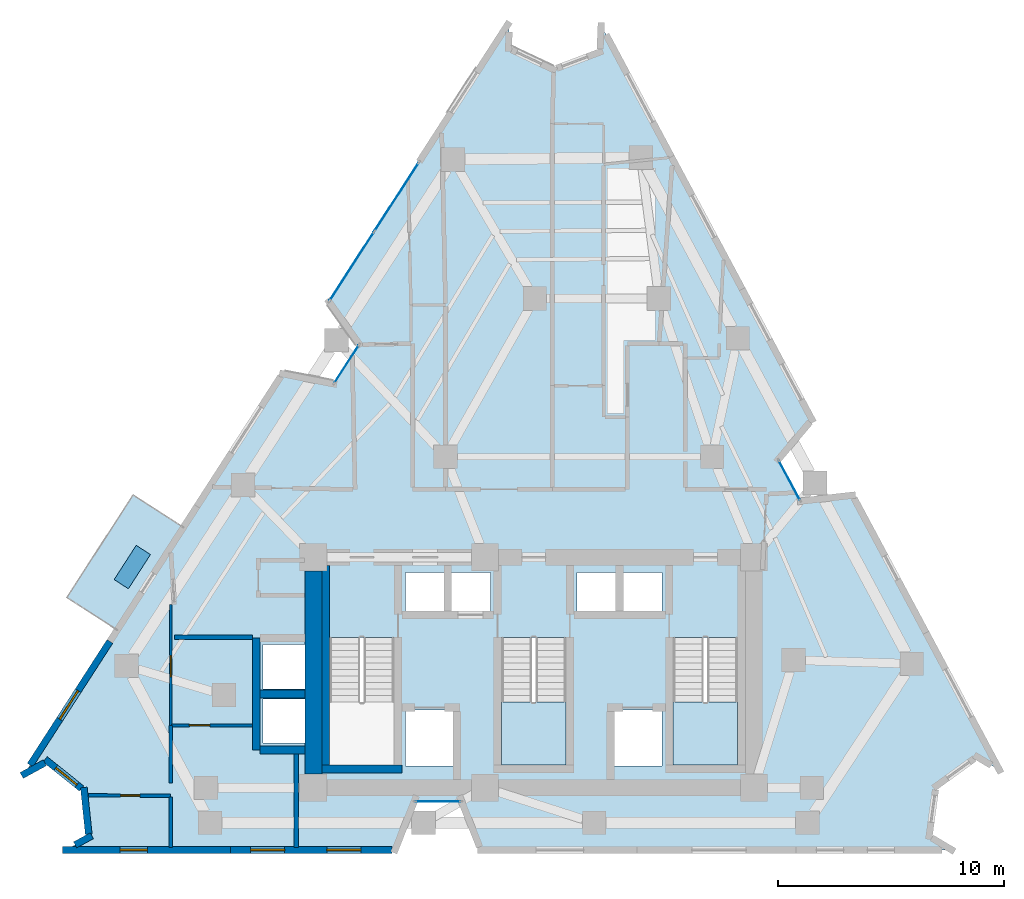
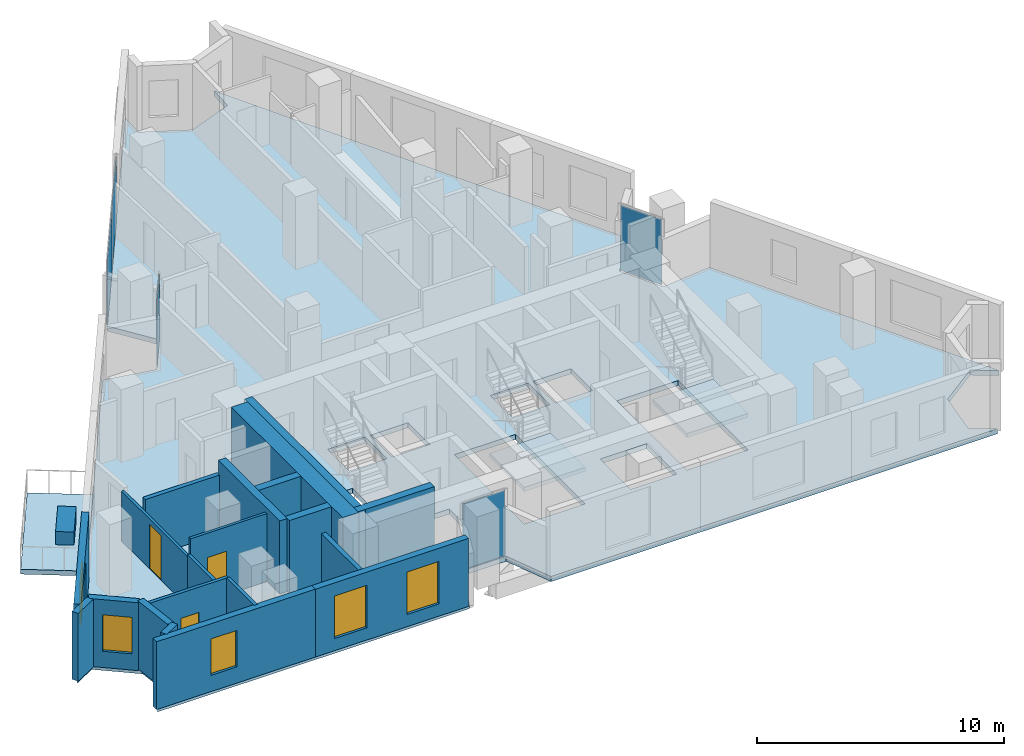
# One storey, part 5 of 11: 20 walls, 6 plates, 5 windows, 4 slabs, 3 doors, 8 openings, 6 elements without a shape of their own.
"""IFC4 building model written with IfcOpenShell, lengths in metres."""

from ifc_helpers import new_model, si_unit, direction, frame, frame_2d, origin, origin_2d, place, context, subcontext, project, spatial, polyline, rectangle, outline, extrude, material, layer, layer_set, type_object, element, fill, aggregate, save


model = new_model("IFC4")

# Units and contexts
model_context = context("Model", 3, precision=1e-05, world=origin(), true_north=direction((0.0, 1.0)))
body_context = subcontext(model_context, "Body", "Model", "MODEL_VIEW")
ifc_project = project(units=[si_unit("LENGTHUNIT", "METRE"), si_unit("AREAUNIT", "SQUARE_METRE"), si_unit("VOLUMEUNIT", "CUBIC_METRE"), si_unit("PLANEANGLEUNIT", "RADIAN"), si_unit("MASSUNIT", "GRAM", prefix="KILO")], contexts=[model_context])

# Site, building, storey
site_placement = place(None, origin())
site = spatial("IfcSite", under=ifc_project, at=site_placement, CompositionType="ELEMENT")
building_placement = place(site_placement, origin())
building = spatial("IfcBuilding", under=site, at=building_placement, Name="Almagre Mirador Tower", CompositionType="ELEMENT")
storey_placement = place(building_placement, frame((0.0, 0.0, 178.800048828125)))
storey = spatial("IfcBuildingStorey", under=building, at=storey_placement, Name="L46", CompositionType="ELEMENT", Elevation=178.800048828125)

# Curtain wall, plate
ifc_material_1 = material(Name="Black anodized aluminium", Category="aluminium")
ifc_layer_1 = layer(ifc_material_1, 0.169921875)
ifc_layer_set_1 = layer_set([ifc_layer_1], Name="Black anodized aluminium")
curtain_wall_type_1 = type_object("IfcCurtainWallType", Name="CW-CRS-SYS", PredefinedType="NOTDEFINED", material=ifc_layer_set_1)
curtain_wall_1_placement = place(storey_placement, origin())
curtain_wall_1 = element("IfcCurtainWall", 1, at=curtain_wall_1_placement, inside=storey, type_object=curtain_wall_type_1, Name="L46 vertical crease curtain wall 01", PredefinedType="NOTDEFINED")
ifc_material_2 = material(Name="Dark solar-control laminated hurricane glass", Category="glass")
ifc_layer_2 = layer(ifc_material_2, 0.028076171875)
ifc_layer_set_2 = layer_set([ifc_layer_2], Name="Dark solar-control laminated hurricane glass")
plate_type_1 = type_object("IfcPlateType", Name="PLT-GLZ-28", PredefinedType="CURTAIN_PANEL", material=ifc_layer_set_2)
plate_1_placement = place(storey_placement, frame((29.0234375, 23.297119140625, 0.06005859375), z_axis=(0.0, 0.0, 1.0), x_axis=(0.542159567478, 0.840275552061, 0.0)))
plate_1 = element("IfcPlate", 2, at=plate_1_placement, type_object=plate_type_1, Name="CW-4 panel 1.1", PredefinedType="CURTAIN_PANEL", context=body_context, shape_type="SweptSolid", body=[
    extrude(rectangle(XDim=1.9697265625, YDim=0.028076171875, at=origin_2d()), origin(), (0.0, 0.0, 1.0), 3.22998046875),
])
aggregate(curtain_wall_1, [plate_1])

curtain_wall_2_placement = place(storey_placement, origin())
curtain_wall_2 = element("IfcCurtainWall", 3, at=curtain_wall_2_placement, inside=storey, type_object=curtain_wall_type_1, Name="L46 vertical crease curtain wall 03", PredefinedType="NOTDEFINED")
plate_2_placement = place(storey_placement, frame((48.614013671875, 18.150390625, 0.06005859375), z_axis=(0.0, 0.0, 1.0), x_axis=(0.47173010875, -0.881742992316, 0.0)))
plate_2 = element("IfcPlate", 4, at=plate_2_placement, type_object=plate_type_1, Name="CW-4 panel 1.1", PredefinedType="CURTAIN_PANEL", context=body_context, shape_type="SweptSolid", body=[
    extrude(rectangle(XDim=1.97021484375, YDim=0.028076171875, at=origin_2d()), origin(), (0.0, 0.0, 1.0), 3.22998046875),
])
aggregate(curtain_wall_2, [plate_2])

curtain_wall_3_placement = place(storey_placement, origin())
curtain_wall_3 = element("IfcCurtainWall", 5, at=curtain_wall_3_placement, inside=storey, type_object=curtain_wall_type_1, Name="L46 vertical crease curtain wall 04", PredefinedType="NOTDEFINED")
plate_3_placement = place(storey_placement, frame((33.06396484375, 3.949951171875, 0.06005859375), z_axis=(0.0, 0.0, 1.0), x_axis=(-1.0, 0.0, 0.0)))
plate_3 = element("IfcPlate", 6, at=plate_3_placement, type_object=plate_type_1, Name="CW-4 panel 1.1", PredefinedType="CURTAIN_PANEL", context=body_context, shape_type="SweptSolid", body=[
    extrude(rectangle(XDim=1.969970703125, YDim=0.028076171875, at=origin_2d()), origin(), (0.0, 0.0, 1.0), 3.22998046875),
])
aggregate(curtain_wall_3, [plate_3])

# Curtain wall, plates
ifc_material_3 = material(Name="Black anodized aluminium", Category="aluminium")
ifc_layer_3 = layer(ifc_material_3, 0.199951171875)
ifc_layer_set_3 = layer_set([ifc_layer_3], Name="Black anodized aluminium")
curtain_wall_type_2 = type_object("IfcCurtainWallType", Name="CW-RES-H-SYS", PredefinedType="NOTDEFINED", material=ifc_layer_set_3)
curtain_wall_4_placement = place(storey_placement, origin())
curtain_wall_4 = element("IfcCurtainWall", 7, at=curtain_wall_4_placement, inside=storey, type_object=curtain_wall_type_2, Name="L46 curtain wall run 02", PredefinedType="NOTDEFINED")
ifc_material_4 = material(Name="Dark solar-control laminated hurricane glass", Category="glass")
ifc_layer_4 = layer(ifc_material_4, 0.035888671875)
ifc_layer_set_4 = layer_set([ifc_layer_4], Name="Dark solar-control laminated hurricane glass")
plate_type_2 = type_object("IfcPlateType", Name="PLT-GLZ-36", PredefinedType="CURTAIN_PANEL", material=ifc_layer_set_4)
plate_4_placement = place(storey_placement, frame((29.25390625, 27.6201171875, 0.06494140625), z_axis=(0.0, 0.0, 1.0), x_axis=(0.542026366786, 0.840361480381, 0.0)))
plate_4 = element("IfcPlate", 8, at=plate_4_placement, type_object=plate_type_2, Name="CW-3 panel 1.1", PredefinedType="CURTAIN_PANEL", context=body_context, shape_type="SweptSolid", body=[
    extrude(rectangle(XDim=3.58544921875, YDim=0.035888671875, at=origin_2d()), origin(), (0.0, 0.0, 1.0), 3.219970703125),
])
plate_5_placement = place(storey_placement, frame((31.232666015625, 30.687744140625, 0.06494140625), z_axis=(0.0, 0.0, 1.0), x_axis=(0.542026366786, 0.840361480381, 0.0)))
plate_5 = element("IfcPlate", 9, at=plate_5_placement, type_object=plate_type_2, Name="CW-3 panel 2.1", PredefinedType="CURTAIN_PANEL", context=body_context, shape_type="SweptSolid", body=[
    extrude(rectangle(XDim=3.58544921875, YDim=0.035888671875, at=origin_2d()), origin(), (0.0, 0.0, 1.0), 3.219970703125),
])
aggregate(curtain_wall_4, [plate_4, plate_5])

# Plate
ifc_material_5 = material(Name="Precast concrete C50/60", Category="concrete")
ifc_layer_5 = layer(ifc_material_5, 0.64990234375)
ifc_layer_set_5 = layer_set([ifc_layer_5], Name="Precast concrete C50/60")
plate_type_3 = type_object("IfcPlateType", Name="PLT-PLANTER-1800", PredefinedType="USERDEFINED", material=ifc_layer_set_5)
plate_6_placement = place(storey_placement, frame((19.5419921875, 14.31494140625, 0.0), z_axis=(0.0, 0.0, 1.0), x_axis=(-0.542030924747, -0.840358540516, 0.0)))
element("IfcPlate", 10, at=plate_6_placement, inside=storey, type_object=plate_type_3, Name="L46 west balcony structural tree planter 1", ObjectType="PLANTER", PredefinedType="USERDEFINED", context=body_context, shape_type="SweptSolid", body=[
    extrude(rectangle(XDim=1.800048828125, YDim=0.75, at=origin_2d()), origin(), (0.0, 0.0, 1.0), 0.64990234375),
])

# Slabs
ifc_material_6 = material(Name="Concrete C45/55", Category="concrete")
ifc_layer_6 = layer(ifc_material_6, 0.239990234375)
ifc_layer_set_6 = layer_set([ifc_layer_6], Name="Concrete C45/55")
slab_type_1 = type_object("IfcSlabType", Name="SLB-BAL-240", PredefinedType="USERDEFINED", material=ifc_layer_set_6)
slab_1_placement = place(storey_placement, frame((0.0, 0.0, -0.239990234375)))
element("IfcSlab", 11, at=slab_1_placement, inside=storey, type_object=slab_type_1, Name="L46 west planted tree balcony 1", ObjectType="BALCONY", PredefinedType="USERDEFINED", context=body_context, shape_type="SweptSolid", body=[
    extrude(outline(polyline([(21.820068359375, 16.05810546875), (18.89404296875, 11.52001953125), (16.64990234375, 12.967041015625), (19.576904296875, 17.5048828125), (21.820068359375, 16.05810546875)])), origin(), (0.0, 0.0, 1.0), 0.239990234375),
])
ifc_material_7 = material(Name="Concrete C45/55", Category="concrete")
ifc_layer_7 = layer(ifc_material_7, 0.25)
ifc_layer_set_7 = layer_set([ifc_layer_7], Name="Concrete C45/55")
slab_type_2 = type_object("IfcSlabType", Name="SLB-FLR-250", PredefinedType="FLOOR", material=ifc_layer_set_7)
slab_2_placement = place(storey_placement, frame((0.0, 0.0, -0.25)))
element("IfcSlab", 12, at=slab_2_placement, inside=storey, type_object=slab_type_2, Name="L46 structural floor slab", PredefinedType="FLOOR", context=body_context, shape_type="SweptSolid", body=[
    extrude(outline(polyline([(14.76806640625, 5.160888671875), (15.794921875, 5.720947265625), (17.412109375, 4.422119140625), (17.626953125, 2.360107421875), (16.60009765625, 1.800048828125), (31.1640625, 1.800048828125), (32.01904296875, 3.949951171875), (34.10888671875, 3.949951171875), (34.964111328125, 1.800048828125), (55.800048828125, 1.800048828125), (54.7958984375, 2.40087890625), (55.09912109375, 4.615966796875), (56.908935546875, 5.927978515625), (57.9130859375, 5.326904296875), (51.406005859375, 17.489013671875), (49.10693359375, 17.22900390625), (48.12109375, 19.072021484375), (49.614013671875, 20.840087890625), (40.287109375, 38.27294921875), (40.239013671875, 37.10400390625), (38.176025390625, 36.324951171875), (36.18408203125, 37.27001953125), (36.23193359375, 38.43896484375), (28.2470703125, 26.05908203125), (29.590087890625, 24.175048828125), (28.45703125, 22.4189453125), (26.18701171875, 22.864990234375), (14.76806640625, 5.160888671875)]), holes=[polyline([(43.47509765625, 5.550048828125), (43.47509765625, 11.196044921875), (46.324951171875, 11.196044921875), (46.324951171875, 5.550048828125), (43.47509765625, 5.550048828125)]), polyline([(40.820068359375, 5.52001953125), (40.820068359375, 7.97998046875), (42.97998046875, 7.97998046875), (42.97998046875, 5.52001953125), (40.820068359375, 5.52001953125)]), polyline([(41.219970703125, 12.320068359375), (41.219970703125, 14.080078125), (42.97998046875, 14.080078125), (42.97998046875, 12.320068359375), (41.219970703125, 12.320068359375)]), polyline([(39.219970703125, 12.320068359375), (39.219970703125, 14.080078125), (40.97998046875, 14.080078125), (40.97998046875, 12.320068359375), (39.219970703125, 12.320068359375)]), polyline([(35.875, 11.196044921875), (38.72509765625, 11.196044921875), (38.72509765625, 5.550048828125), (35.875, 5.550048828125), (35.875, 11.196044921875)]), polyline([(35.3798828125, 12.320068359375), (33.6201171875, 12.320068359375), (33.6201171875, 14.080078125), (35.3798828125, 14.080078125), (35.3798828125, 12.320068359375)]), polyline([(33.780029296875, 5.52001953125), (31.6201171875, 5.52001953125), (31.6201171875, 7.97998046875), (33.780029296875, 7.97998046875), (33.780029296875, 5.52001953125)]), polyline([(31.6201171875, 12.320068359375), (31.6201171875, 14.080078125), (33.3798828125, 14.080078125), (33.3798828125, 12.320068359375), (31.6201171875, 12.320068359375)]), polyline([(28.27490234375, 5.550048828125), (28.27490234375, 11.196044921875), (31.125, 11.196044921875), (31.125, 5.550048828125), (28.27490234375, 5.550048828125)]), polyline([(25.320068359375, 8.919921875), (25.320068359375, 10.8798828125), (27.3798828125, 10.8798828125), (27.3798828125, 8.919921875), (25.320068359375, 8.919921875)]), polyline([(27.3798828125, 6.52001953125), (25.320068359375, 6.52001953125), (25.320068359375, 8.47998046875), (27.3798828125, 8.47998046875), (27.3798828125, 6.52001953125)])]), origin(), (0.0, 0.0, 1.0), 0.25),
])

# Stair, slab
ifc_material_8 = material(Name="Concrete C45/55", Category="concrete")
stair_type = type_object("IfcStairType", Name="STR-DL-3600", PredefinedType="HALF_TURN_STAIR", material=ifc_material_8)
stair_1_placement = place(storey_placement, origin())
stair_1 = element("IfcStair", 13, at=stair_1_placement, inside=storey, type_object=stair_type, Name="L46 Protected exit stair ST-2", PredefinedType="HALF_TURN_STAIR")
ifc_material_9 = material(Name="Concrete C45/55", Category="concrete")
ifc_layer_8 = layer(ifc_material_9, 0.199951171875)
ifc_layer_set_8 = layer_set([ifc_layer_8], Name="Concrete C45/55")
slab_type_3 = type_object("IfcSlabType", Name="SLB-LND-200", PredefinedType="LANDING", material=ifc_layer_set_8)
slab_3_placement = place(storey_placement, frame((0.0, 0.0, 1.599853515625)))
slab_3 = element("IfcSlab", 14, at=slab_3_placement, type_object=slab_type_3, Name="ST-2 landing 1", PredefinedType="LANDING", context=body_context, shape_type="SweptSolid", body=[
    extrude(outline(polyline([(35.875, 8.35009765625), (35.875, 5.550048828125), (38.72509765625, 5.550048828125), (38.72509765625, 8.35009765625), (35.875, 8.35009765625)])), origin(), (0.0, 0.0, 1.0), 0.2001953125),
])
aggregate(stair_1, [slab_3])

stair_2_placement = place(storey_placement, origin())
stair_2 = element("IfcStair", 15, at=stair_2_placement, inside=storey, type_object=stair_type, Name="L46 Protected exit stair ST-3", PredefinedType="HALF_TURN_STAIR")
slab_4_placement = place(storey_placement, frame((0.0, 0.0, 1.599853515625)))
slab_4 = element("IfcSlab", 16, at=slab_4_placement, type_object=slab_type_3, Name="ST-3 landing 1", PredefinedType="LANDING", context=body_context, shape_type="SweptSolid", body=[
    extrude(outline(polyline([(43.47509765625, 8.35009765625), (43.47509765625, 5.550048828125), (46.324951171875, 5.550048828125), (46.324951171875, 8.35009765625), (43.47509765625, 8.35009765625)])), origin(), (0.0, 0.0, 1.0), 0.2001953125),
])
aggregate(stair_2, [slab_4])

# Wall, openings, windows
ifc_material_10 = material(Name="Precast concrete C50/60", Category="concrete")
ifc_layer_9 = layer(ifc_material_10, 0.300048828125)
ifc_layer_set_9 = layer_set([ifc_layer_9], Name="Precast concrete C50/60")
wall_type_1 = type_object("IfcWallType", Name="WAL-EXT-300", PredefinedType="SOLIDWALL", material=ifc_layer_set_9)
wall_1_placement = place(storey_placement, frame((31.02392578125, 1.800048828125, 0.0), z_axis=(0.0, 0.0, 1.0), x_axis=(-1.0, 0.0, 0.0)))
wall_1 = element("IfcWall", 17, at=wall_1_placement, inside=storey, type_object=wall_type_1, Name="L46 expressed almagre precast frame wall 24", PredefinedType="SOLIDWALL", context=body_context, shape_type="SweptSolid", body=[
    extrude(rectangle(XDim=7.141845703125, YDim=0.300048828125, at=frame_2d((3.57080078125, 0.0))), origin(), (0.0, 0.0, 1.0), 3.349853515625),
])
opening_1_placement = place(wall_1_placement, frame((4.7451171875, 0.0, 0.60009765625)))
opening_1 = element("IfcOpeningElement", 18, at=opening_1_placement, cuts=wall_1, Name="Opening WN-03", PredefinedType="OPENING", context=body_context, shape_type="SweptSolid", body=[
    extrude(rectangle(XDim=1.5, YDim=2.10009765625, at=frame_2d((0.75, 1.050048828125))), frame((0.0, 0.159902, 0.0), z_axis=(0.0, -1.0, 0.0), x_axis=(1.0, 0.0, 0.0)), (0.0, 0.0, 1.0), 0.320049),
])
opening_2_placement = place(wall_1_placement, frame((1.3701171875, 0.0, 0.60009765625)))
opening_2 = element("IfcOpeningElement", 19, at=opening_2_placement, cuts=wall_1, Name="Opening WN-03", PredefinedType="OPENING", context=body_context, shape_type="SweptSolid", body=[
    extrude(rectangle(XDim=1.5, YDim=2.10009765625, at=frame_2d((0.75, 1.050048828125))), frame((0.0, 0.159902, 0.0), z_axis=(0.0, -1.0, 0.0), x_axis=(1.0, 0.0, 0.0)), (0.0, 0.0, 1.0), 0.320049),
])
ifc_material_11 = material(Name="Dark solar-control laminated hurricane glass", Category="glass")
window_type_1 = type_object("IfcWindowType", Name="WIN-1500X2100", PartitioningType="DOUBLE_PANEL_VERTICAL", PredefinedType="WINDOW", material=ifc_material_11)
window_1_placement = place(opening_1_placement, origin())
window_1 = element("IfcWindow", 20, at=window_1_placement, inside=storey, type_object=window_type_1, Name="L46 recessed hurricane window L46-UA-MB", OverallHeight=2.10009765625, OverallWidth=1.5, PartitioningType="SINGLE_PANEL", PredefinedType="WINDOW", context=body_context, shape_type="SweptSolid", body=[
    extrude(rectangle(XDim=1.5, YDim=2.10009765625, at=frame_2d((0.75, 1.050048828125))), frame((0.0, 0.030029296875, 0.0), z_axis=(0.0, -1.0, 0.0), x_axis=(1.0, 0.0, 0.0)), (0.0, 0.0, 1.0), 0.06005859375),
])
fill(opening_1, window_1)
window_2_placement = place(opening_2_placement, origin())
window_2 = element("IfcWindow", 21, at=window_2_placement, inside=storey, type_object=window_type_1, Name="L46 recessed hurricane window L46-RST-B", OverallHeight=2.10009765625, OverallWidth=1.5, PartitioningType="SINGLE_PANEL", PredefinedType="WINDOW", context=body_context, shape_type="SweptSolid", body=[
    extrude(rectangle(XDim=1.5, YDim=2.10009765625, at=frame_2d((0.75, 1.050048828125))), frame((0.0, 0.030029296875, 0.0), z_axis=(0.0, -1.0, 0.0), x_axis=(1.0, 0.0, 0.0)), (0.0, 0.0, 1.0), 0.06005859375),
])
fill(opening_2, window_2)

# Wall, opening, window
wall_2_placement = place(storey_placement, frame((23.882080078125, 1.800048828125, 0.0), z_axis=(0.0, 0.0, 1.0), x_axis=(-1.0, 0.0, 0.0)))
wall_2 = element("IfcWall", 22, at=wall_2_placement, inside=storey, type_object=wall_type_1, Name="L46 expressed almagre precast frame wall 25", PredefinedType="SOLIDWALL", context=body_context, shape_type="SweptSolid", body=[
    extrude(rectangle(XDim=7.422119140625, YDim=0.300048828125, at=frame_2d((3.7109375, 0.0))), origin(), (0.0, 0.0, 1.0), 3.349853515625),
])
opening_3_placement = place(wall_2_placement, frame((3.675048828125, 0.0, 0.800048828125)))
opening_3 = element("IfcOpeningElement", 23, at=opening_3_placement, cuts=wall_2, Name="Opening WN-04", PredefinedType="OPENING", context=body_context, shape_type="SweptSolid", body=[
    extrude(rectangle(XDim=1.199951171875, YDim=1.800048828125, at=frame_2d((0.60009765625, 0.89990234375))), frame((0.0, 0.159902, 0.0), z_axis=(0.0, -1.0, 0.0), x_axis=(1.0, 0.0, 0.0)), (0.0, 0.0, 1.0), 0.320049),
])
ifc_material_12 = material(Name="Dark solar-control laminated hurricane glass", Category="glass")
window_type_2 = type_object("IfcWindowType", Name="WIN-1200X1800", PartitioningType="SINGLE_PANEL", PredefinedType="WINDOW", material=ifc_material_12)
window_3_placement = place(opening_3_placement, origin())
window_3 = element("IfcWindow", 24, at=window_3_placement, inside=storey, type_object=window_type_2, Name="L46 recessed hurricane window L46-UA-HB", OverallHeight=1.800048828125, OverallWidth=1.199951171875, PartitioningType="SINGLE_PANEL", PredefinedType="WINDOW", context=body_context, shape_type="SweptSolid", body=[
    extrude(rectangle(XDim=1.199951171875, YDim=1.800048828125, at=frame_2d((0.60009765625, 0.89990234375))), frame((0.0, 0.030029296875, 0.0), z_axis=(0.0, -1.0, 0.0), x_axis=(1.0, 0.0, 0.0)), (0.0, 0.0, 1.0), 0.06005859375),
])
fill(opening_3, window_3)

# Walls
wall_3_placement = place(storey_placement, frame((17.0126953125, 2.02490234375, 0.0), z_axis=(0.0, 0.0, 1.0), x_axis=(0.877928900016, 0.478791025936, 0.0)))
element("IfcWall", 25, at=wall_3_placement, inside=storey, type_object=wall_type_1, Name="L46 expressed almagre precast frame wall 26", PredefinedType="SOLIDWALL", context=body_context, shape_type="SweptSolid", body=[
    extrude(rectangle(XDim=0.83984375, YDim=0.300048828125, at=frame_2d((0.419921875, 0.0))), origin(), (0.0, 0.0, 1.0), 3.349853515625),
])
wall_4_placement = place(storey_placement, frame((17.612548828125, 2.499267578125, 0.0), z_axis=(0.0, 0.0, 1.0), x_axis=(-0.10374684954, 0.994603735771, 0.0)))
element("IfcWall", 26, at=wall_4_placement, inside=storey, type_object=wall_type_1, Name="L46 expressed almagre precast frame wall 27", PredefinedType="SOLIDWALL", context=body_context, shape_type="SweptSolid", body=[
    extrude(rectangle(XDim=2.0732421875, YDim=0.300048828125, at=frame_2d((1.03662109375, 0.0))), origin(), (0.0, 0.0, 1.0), 3.349853515625),
])

# Wall, opening, window
wall_5_placement = place(storey_placement, frame((17.29345703125, 4.51708984375, 0.0), z_axis=(0.0, 0.0, 1.0), x_axis=(-0.779596670004, 0.626281911058, 0.0)))
wall_5 = element("IfcWall", 27, at=wall_5_placement, inside=storey, type_object=wall_type_1, Name="L46 expressed almagre precast frame wall 28", PredefinedType="SOLIDWALL", context=body_context, shape_type="SweptSolid", body=[
    extrude(rectangle(XDim=2.062255859375, YDim=0.300048828125, at=frame_2d((1.03125, 0.0))), origin(), (0.0, 0.0, 1.0), 3.349853515625),
])
opening_4_placement = place(wall_5_placement, frame((0.258056640625, 0.0, 0.800048828125)))
opening_4 = element("IfcOpeningElement", 28, at=opening_4_placement, cuts=wall_5, Name="Opening WN-04", PredefinedType="OPENING", context=body_context, shape_type="SweptSolid", body=[
    extrude(rectangle(XDim=1.199951171875, YDim=1.800048828125, at=frame_2d((0.60009765625, 0.89990234375))), frame((0.0, 0.159902, 0.0), z_axis=(0.0, -1.0, 0.0), x_axis=(1.0, 0.0, 0.0)), (0.0, 0.0, 1.0), 0.320049),
])
window_4_placement = place(opening_4_placement, origin())
window_4 = element("IfcWindow", 29, at=window_4_placement, inside=storey, type_object=window_type_2, Name="L46 recessed hurricane window L46-UA-LV", OverallHeight=1.800048828125, OverallWidth=1.199951171875, PartitioningType="SINGLE_PANEL", PredefinedType="WINDOW", context=body_context, shape_type="SweptSolid", body=[
    extrude(rectangle(XDim=1.199951171875, YDim=1.800048828125, at=frame_2d((0.60009765625, 0.89990234375))), frame((0.0, 0.030029296875, 0.0), z_axis=(0.0, -1.0, 0.0), x_axis=(1.0, 0.0, 0.0)), (0.0, 0.0, 1.0), 0.06005859375),
])
fill(opening_4, window_4)

# Wall
wall_6_placement = place(storey_placement, frame((15.672119140625, 5.654052734375, 0.0), z_axis=(0.0, 0.0, 1.0), x_axis=(-0.877959368473, -0.478735153619, 0.0)))
element("IfcWall", 30, at=wall_6_placement, inside=storey, type_object=wall_type_1, Name="L46 expressed almagre precast frame wall 29", PredefinedType="SOLIDWALL", context=body_context, shape_type="SweptSolid", body=[
    extrude(rectangle(XDim=1.169921875, YDim=0.300048828125, at=frame_2d((0.5849609375, 0.0))), origin(), (0.0, 0.0, 1.0), 3.349853515625),
])

# Wall, opening, window
wall_7_placement = place(storey_placement, frame((15.022705078125, 5.555908203125, 0.0), z_axis=(0.0, 0.0, 1.0), x_axis=(0.542027715397, 0.840360610537, 0.0)))
wall_7 = element("IfcWall", 31, at=wall_7_placement, inside=storey, type_object=wall_type_1, Name="L46 expressed almagre precast frame wall 30", PredefinedType="SOLIDWALL", context=body_context, shape_type="SweptSolid", body=[
    extrude(rectangle(XDim=6.505859375, YDim=0.300048828125, at=frame_2d((3.2529296875, 0.0))), origin(), (0.0, 0.0, 1.0), 3.349853515625),
])
opening_5_placement = place(wall_7_placement, frame((2.4150390625, 0.0, 0.60009765625)))
opening_5 = element("IfcOpeningElement", 32, at=opening_5_placement, cuts=wall_7, Name="Opening WN-03", PredefinedType="OPENING", context=body_context, shape_type="SweptSolid", body=[
    extrude(rectangle(XDim=1.5, YDim=2.10009765625, at=frame_2d((0.75, 1.050048828125))), frame((0.0, 0.159902, 0.0), z_axis=(0.0, -1.0, 0.0), x_axis=(1.0, 0.0, 0.0)), (0.0, 0.0, 1.0), 0.320049),
])
window_5_placement = place(opening_5_placement, origin())
window_5 = element("IfcWindow", 33, at=window_5_placement, inside=storey, type_object=window_type_1, Name="L46 recessed hurricane window L46-UA-LV", OverallHeight=2.10009765625, OverallWidth=1.5, PartitioningType="SINGLE_PANEL", PredefinedType="WINDOW", context=body_context, shape_type="SweptSolid", body=[
    extrude(rectangle(XDim=1.5, YDim=2.10009765625, at=frame_2d((0.75, 1.050048828125))), frame((0.0, 0.030029296875, 0.0), z_axis=(0.0, -1.0, 0.0), x_axis=(1.0, 0.0, 0.0)), (0.0, 0.0, 1.0), 0.06005859375),
])
fill(opening_5, window_5)

# Wall, opening, door
ifc_material_13 = material(Name="Gypsum acoustic stud partition", Category="other")
ifc_layer_10 = layer(ifc_material_13, 0.125)
ifc_layer_set_10 = layer_set([ifc_layer_10], Name="Gypsum acoustic stud partition")
wall_type_2 = type_object("IfcWallType", Name="WAL-PRT-125-UTL", PredefinedType="PARTITIONING", material=ifc_layer_set_10)
wall_8_placement = place(storey_placement, frame((21.239990234375, 7.31005859375, 0.0), z_axis=(0.0, 0.0, 1.0), x_axis=(0.0, 1.0, 0.0)))
wall_8 = element("IfcWall", 34, at=wall_8_placement, inside=storey, type_object=wall_type_2, Name="L46 interior partition 021", PredefinedType="PARTITIONING", context=body_context, shape_type="SweptSolid", body=[
    extrude(rectangle(XDim=5.349853515625, YDim=0.125, at=frame_2d((2.6748046875, 0.0))), origin(), (0.0, 0.0, 1.0), 2.4638671875),
])
opening_6_placement = place(wall_8_placement, frame((2.14111328125, 0.0, 0.0)))
opening_6 = element("IfcOpeningElement", 35, at=opening_6_placement, cuts=wall_8, Name="Opening UD-01", PredefinedType="OPENING", context=body_context, shape_type="SweptSolid", body=[
    extrude(rectangle(XDim=0.949951171875, YDim=2.199951171875, at=frame_2d((0.47509765625, 1.10009765625))), frame((0.0, 0.0725, 0.0), z_axis=(0.0, -1.0, 0.0), x_axis=(1.0, 0.0, 0.0)), (0.0, 0.0, 1.0), 0.145),
])
ifc_material_14 = material(Name="Solid American walnut timber", Category="wood")
door_type_1 = type_object("IfcDoorType", Name="DOR-UNR-950X2200", OperationType="NOTDEFINED", PredefinedType="DOOR", material=ifc_material_14)
door_1_placement = place(opening_6_placement, origin())
door_1 = element("IfcDoor", 36, at=door_1_placement, inside=storey, type_object=door_type_1, Name="DR-1467 L46 interior door L46-UA-LV to L46-UA-KT", OperationType="SINGLE_SWING_LEFT", OverallHeight=2.199951171875, OverallWidth=0.949951171875, PredefinedType="DOOR", context=body_context, shape_type="SweptSolid", body=[
    extrude(rectangle(XDim=0.949951171875, YDim=2.199951171875, at=frame_2d((0.47509765625, 1.10009765625))), frame((0.0, 0.02490234375, 0.0), z_axis=(0.0, -1.0, 0.0), x_axis=(1.0, 0.0, 0.0)), (0.0, 0.0, 1.0), 0.050048828125),
])
fill(opening_6, door_1)

wall_9_placement = place(storey_placement, frame((21.28759765625, 7.31005859375, 0.0), z_axis=(0.0, 0.0, 1.0), x_axis=(1.0, 0.0, 0.0)))
wall_9 = element("IfcWall", 37, at=wall_9_placement, inside=storey, type_object=wall_type_2, Name="L46 interior partition 024", PredefinedType="PARTITIONING", context=body_context, shape_type="SweptSolid", body=[
    extrude(rectangle(XDim=3.577392578125, YDim=0.125, at=frame_2d((1.78857421875, 0.0))), origin(), (0.0, 0.0, 1.0), 3.349853515625),
])
opening_7_placement = place(wall_9_placement, frame((0.782470703125, 0.0, 0.0)))
opening_7 = element("IfcOpeningElement", 38, at=opening_7_placement, cuts=wall_9, Name="Opening UD-02", PredefinedType="OPENING", context=body_context, shape_type="SweptSolid", body=[
    extrude(rectangle(XDim=0.89990234375, YDim=2.14990234375, at=frame_2d((0.449951171875, 1.074951171875))), frame((0.0, 0.0725, 0.0), z_axis=(0.0, -1.0, 0.0), x_axis=(1.0, 0.0, 0.0)), (0.0, 0.0, 1.0), 0.145),
])
ifc_material_15 = material(Name="Solid American walnut timber", Category="wood")
door_type_2 = type_object("IfcDoorType", Name="DOR-UNR-900X2150", OperationType="NOTDEFINED", PredefinedType="DOOR", material=ifc_material_15)
door_2_placement = place(opening_7_placement, origin())
door_2 = element("IfcDoor", 39, at=door_2_placement, inside=storey, type_object=door_type_2, Name="DR-1469 L46 interior door L46-UA-KT to L46-UA-MB", OperationType="SINGLE_SWING_LEFT", OverallHeight=2.14990234375, OverallWidth=0.89990234375, PredefinedType="DOOR", context=body_context, shape_type="SweptSolid", body=[
    extrude(rectangle(XDim=0.89990234375, YDim=2.14990234375, at=frame_2d((0.449951171875, 1.074951171875))), frame((0.0, 0.02490234375, 0.0), z_axis=(0.0, -1.0, 0.0), x_axis=(1.0, 0.0, 0.0)), (0.0, 0.0, 1.0), 0.050048828125),
])
fill(opening_7, door_2)

ifc_material_16 = material(Name="Gypsum acoustic stud partition", Category="other")
ifc_layer_11 = layer(ifc_material_16, 0.14990234375)
ifc_layer_set_11 = layer_set([ifc_layer_11], Name="Gypsum acoustic stud partition")
wall_type_3 = type_object("IfcWallType", Name="WAL-PRT-150-STD", PredefinedType="PARTITIONING", material=ifc_layer_set_11)
wall_10_placement = place(storey_placement, frame((17.593017578125, 4.212890625, 0.0), z_axis=(0.0, 0.0, 1.0), x_axis=(0.999993705913, -0.003547976062, 0.0)))
wall_10 = element("IfcWall", 40, at=wall_10_placement, inside=storey, type_object=wall_type_3, Name="L46 interior partition 020", PredefinedType="PARTITIONING", context=body_context, shape_type="SweptSolid", body=[
    extrude(rectangle(XDim=3.64697265625, YDim=0.14990234375, at=frame_2d((1.823486328125, 0.0))), origin(), (0.0, 0.0, 1.0), 3.349853515625),
])
opening_8_placement = place(wall_10_placement, frame((1.434814453125, 0.0, 0.0)))
opening_8 = element("IfcOpeningElement", 41, at=opening_8_placement, cuts=wall_10, Name="Opening UD-04", PredefinedType="OPENING", context=body_context, shape_type="SweptSolid", body=[
    extrude(rectangle(XDim=0.85009765625, YDim=2.10009765625, at=frame_2d((0.425048828125, 1.050048828125))), frame((0.0, 0.084951, 0.0), z_axis=(0.0, -1.0, 0.0), x_axis=(1.0, 0.0, 0.0)), (0.0, 0.0, 1.0), 0.169902),
])
ifc_material_17 = material(Name="Moisture-resistant oak timber", Category="wood")
door_type_3 = type_object("IfcDoorType", Name="DOR-UNR-850X2100", OperationType="NOTDEFINED", PredefinedType="DOOR", material=ifc_material_17)
door_3_placement = place(opening_8_placement, origin())
door_3 = element("IfcDoor", 42, at=door_3_placement, inside=storey, type_object=door_type_3, Name="DR-1468 L46 interior door L46-UA-LV to L46-UA-HB", OperationType="SINGLE_SWING_RIGHT", OverallHeight=2.10009765625, OverallWidth=0.85009765625, PredefinedType="DOOR", context=body_context, shape_type="SweptSolid", body=[
    extrude(rectangle(XDim=0.85009765625, YDim=2.10009765625, at=frame_2d((0.425048828125, 1.050048828125))), frame((0.0, 0.02490234375, 0.0), z_axis=(0.0, -1.0, 0.0), x_axis=(1.0, 0.0, 0.0)), (0.0, 0.0, 1.0), 0.050048828125),
])
fill(opening_8, door_3)

# Walls
wall_11_placement = place(storey_placement, frame((21.239990234375, 4.77001953125, 0.0), z_axis=(0.0, 0.0, 1.0), x_axis=(0.0, 1.0, 0.0)))
element("IfcWall", 43, at=wall_11_placement, inside=storey, type_object=wall_type_3, Name="L46 interior partition 022", PredefinedType="PARTITIONING", context=body_context, shape_type="SweptSolid", body=[
    extrude(rectangle(XDim=2.5400390625, YDim=0.14990234375, at=frame_2d((1.27001953125, 0.0))), origin(), (0.0, 0.0, 1.0), 2.570068359375),
])
wall_12_placement = place(storey_placement, frame((21.239990234375, 1.89990234375, 0.0), z_axis=(0.0, 0.0, 1.0), x_axis=(0.0, 1.0, 0.0)))
element("IfcWall", 44, at=wall_12_placement, inside=storey, type_object=wall_type_3, Name="L46 interior partition 023", PredefinedType="PARTITIONING", context=body_context, shape_type="SweptSolid", body=[
    extrude(rectangle(XDim=2.239990234375, YDim=0.14990234375, at=frame_2d((1.1201171875, 0.0))), origin(), (0.0, 0.0, 1.0), 3.349853515625),
])
ifc_material_18 = material(Name="Gypsum acoustic stud partition", Category="other")
ifc_layer_12 = layer(ifc_material_18, 0.199951171875)
ifc_layer_set_12 = layer_set([ifc_layer_12], Name="Gypsum acoustic stud partition")
wall_type_4 = type_object("IfcWallType", Name="WAL-PRT-200-EI60", PredefinedType="PARTITIONING", material=ifc_layer_set_12)
wall_13_placement = place(storey_placement, frame((21.39990234375, 11.199951171875, 0.0), z_axis=(0.0, 0.0, 1.0), x_axis=(1.0, 0.0, 0.0)))
element("IfcWall", 45, at=wall_13_placement, inside=storey, type_object=wall_type_4, Name="L46 interior partition 003", PredefinedType="PARTITIONING", context=body_context, shape_type="SweptSolid", body=[
    extrude(rectangle(XDim=3.46923828125, YDim=0.199951171875, at=frame_2d((1.734619140625, 0.0))), origin(), (0.0, 0.0, 1.0), 2.910888671875),
])
wall_14_placement = place(storey_placement, frame((26.800048828125, 1.89990234375, 0.0), z_axis=(0.0, 0.0, 1.0), x_axis=(0.0, 1.0, 0.0)))
element("IfcWall", 46, at=wall_14_placement, inside=storey, type_object=wall_type_4, Name="L46 interior partition 025", PredefinedType="PARTITIONING", context=body_context, shape_type="SweptSolid", body=[
    extrude(rectangle(XDim=4.1650390625, YDim=0.199951171875, at=frame_2d((2.08251953125, 0.0))), origin(), (0.0, 0.0, 1.0), 2.43603515625),
])
ifc_material_19 = material(Name="Concrete C60/75", Category="concrete")
ifc_layer_13 = layer(ifc_material_19, 0.35009765625)
ifc_layer_set_13 = layer_set([ifc_layer_13], Name="Concrete C60/75")
wall_type_5 = type_object("IfcWallType", Name="WAL-SHF-350", PredefinedType="SOLIDWALL", material=ifc_layer_set_13)
wall_15_placement = place(storey_placement, frame((28.10009765625, 5.199951171875, 0.0), z_axis=(0.0, 0.0, 1.0), x_axis=(0.0, 1.0, 0.0)))
element("IfcWall", 47, at=wall_15_placement, inside=storey, type_object=wall_type_5, Name="L46 shaft wall ST1-W", PredefinedType="SOLIDWALL", context=body_context, shape_type="SweptSolid", body=[
    extrude(rectangle(XDim=9.175048828125, YDim=0.35009765625, at=frame_2d((4.58740234375, 0.0))), origin(), (0.0, 0.0, 1.0), 3.599853515625),
])
wall_16_placement = place(storey_placement, frame((27.925048828125, 5.375, 0.0), z_axis=(0.0, 0.0, 1.0), x_axis=(1.0, 0.0, 0.0)))
element("IfcWall", 48, at=wall_16_placement, inside=storey, type_object=wall_type_5, Name="L46 shaft wall ST1-S", PredefinedType="SOLIDWALL", context=body_context, shape_type="SweptSolid", body=[
    extrude(rectangle(XDim=3.550048828125, YDim=0.35009765625, at=frame_2d((1.77490234375, 0.0))), origin(), (0.0, 0.0, 1.0), 3.599853515625),
])
wall_17_placement = place(storey_placement, frame((25.02490234375, 6.22509765625, 0.0), z_axis=(0.0, 0.0, 1.0), x_axis=(0.0, 1.0, 0.0)))
element("IfcWall", 49, at=wall_17_placement, inside=storey, type_object=wall_type_5, Name="L46 shaft wall OL-W", PredefinedType="SOLIDWALL", context=body_context, shape_type="SweptSolid", body=[
    extrude(rectangle(XDim=4.949951171875, YDim=0.35009765625, at=frame_2d((2.47509765625, 0.0))), origin(), (0.0, 0.0, 1.0), 3.599853515625),
])
for number, where, z_axis, x_axis, name in (
    (50, (25.199951171875, 6.22509765625, 0.0), (0.0, 0.0, 1.0), (1.0, 0.0, 0.0), "L46 shaft wall OL-S"),
    (51, (25.199951171875, 8.699951171875, 0.0), (0.0, 0.0, 1.0), (1.0, 0.0, 0.0), "L46 shaft wall OL-M"),
):
    element("IfcWall", number, at=place(storey_placement, frame(where, z_axis=z_axis, x_axis=x_axis)), inside=storey, type_object=wall_type_5, Name=name, PredefinedType="SOLIDWALL", context=body_context, shape_type="SweptSolid", body=[
        extrude(rectangle(XDim=1.97509765625, YDim=0.35009765625, at=frame_2d((0.987548828125, 0.0))), origin(), (0.0, 0.0, 1.0), 3.599853515625),
    ])
ifc_material_20 = material(Name="Concrete C60/75", Category="concrete")
ifc_layer_14 = layer(ifc_material_20, 0.75)
ifc_layer_set_14 = layer_set([ifc_layer_14], Name="Concrete C60/75")
wall_type_6 = type_object("IfcWallType", Name="WAL-SHR-750", PredefinedType="SHEAR", material=ifc_layer_set_14)
wall_18_placement = place(storey_placement, frame((27.550048828125, 5.14990234375, 0.0), z_axis=(0.0, 0.0, 1.0), x_axis=(0.0, 1.0, 0.0)))
element("IfcWall", 52, at=wall_18_placement, inside=storey, type_object=wall_type_6, Name="L46 core shear wall W1", PredefinedType="SHEAR", context=body_context, shape_type="SweptSolid", body=[
    extrude(rectangle(XDim=9.0, YDim=0.75, at=frame_2d((4.5, 0.0))), origin(), (0.0, 0.0, 1.0), 3.599853515625),
])

save(model, "model.ifc")
